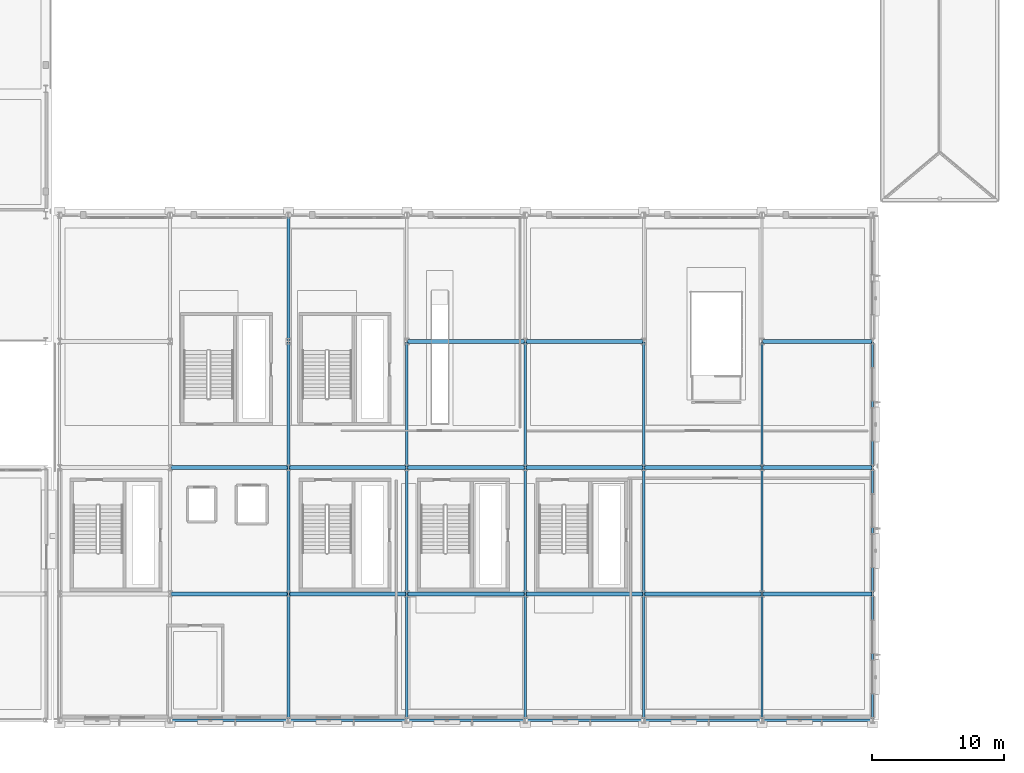
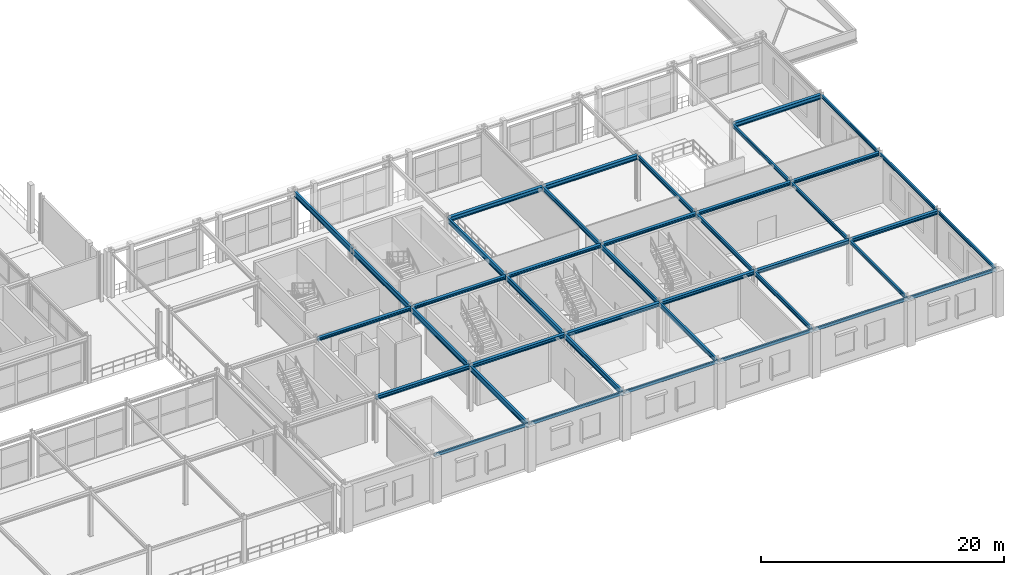
# One storey, part 53 of 125: 40 beams.
"""IFC4 building model written with IfcOpenShell, lengths in metres."""

import ifcopenshell
import ifcopenshell.guid

model = None  # the IFC model being written
_history = None  # IfcOwnerHistory: only IFC2X3 demands one
_inside = {}  # id of a spatial element -> (the spatial element, [elements in it])
_under = {}  # id of a project, library or spatial element -> (it, [spatial elements below it])
_declared = {}  # id of a project -> (the project, [libraries it declares])
_typed = {}  # id of a type object -> (the type object, [elements of that type])
_made_of = {}  # id of a material, layer set ... -> (it, [elements and type objects made of it])


def new_model(schema):
    """Start an empty IFC model of exactly this schema.

    Asked for "IFC4X3", IfcOpenShell would pick the latest addendum, in which some entities
    have other attributes; the version numbers below select the first issue.
    IFC2X3 requires an IfcOwnerHistory on every rooted entity: one is made here for all.
    """
    global model, _history
    if schema == "IFC4X3":
        model = ifcopenshell.file(schema_version=(4, 3, 0, 0))
    else:
        model = ifcopenshell.file(schema=schema)
    _inside.clear()
    _under.clear()
    _declared.clear()
    _typed.clear()
    _made_of.clear()
    _history = None
    if model.schema == "IFC2X3":
        org = make("IfcOrganization", Name="unknown")
        user = make(
            "IfcPersonAndOrganization",
            ThePerson=make("IfcPerson", FamilyName="unknown"),
            TheOrganization=org,
        )
        app = make(
            "IfcApplication",
            ApplicationDeveloper=org,
            Version="unknown",
            ApplicationFullName="unknown",
            ApplicationIdentifier="unknown",
        )
        _history = make(
            "IfcOwnerHistory",
            OwningUser=user,
            OwningApplication=app,
            ChangeAction="ADDED",
            CreationDate=0,
        )
    return model


def make(cls, **values):
    """One entity of the class cls with the attributes given. An attribute that is None is left unset."""
    return model.create_entity(
        cls, **{name: value for name, value in values.items() if value is not None}
    )


def rooted(cls, **values):
    """An entity with a GlobalId (a new one), such as an element, a storey or a relation."""
    return make(cls, GlobalId=ifcopenshell.guid.new(), OwnerHistory=_history, **values)


def si_unit(unit_type, name, prefix=None):
    """IfcSIUnit, for example si_unit("LENGTHUNIT", "METRE", prefix="MILLI")."""
    return make("IfcSIUnit", UnitType=unit_type, Prefix=prefix, Name=name)


def assignment(units):
    """IfcUnitAssignment: the units of a project."""
    return None if units is None else make("IfcUnitAssignment", Units=units)


def point(xyz):
    """IfcCartesianPoint."""
    return None if xyz is None else make("IfcCartesianPoint", Coordinates=xyz)


def direction(xyz):
    """IfcDirection."""
    return None if xyz is None else make("IfcDirection", DirectionRatios=xyz)


def frame(location, z_axis=None, x_axis=None):
    """IfcAxis2Placement3D, a coordinate frame: its origin and axes. An axis left out is left unset."""
    return make(
        "IfcAxis2Placement3D",
        Location=point(location),
        Axis=direction(z_axis),
        RefDirection=direction(x_axis),
    )


def frame_2d(location, x_axis=None):
    """IfcAxis2Placement2D, a coordinate frame in the plane: its origin and x axis."""
    return make(
        "IfcAxis2Placement2D", Location=point(location), RefDirection=direction(x_axis)
    )


def origin():
    """The frame at (0, 0, 0) with its axes left unset."""
    return frame((0.0, 0.0, 0.0))


def origin_2d():
    """The frame at (0, 0) in the plane with its x axis left unset."""
    return frame_2d((0.0, 0.0))


def place(relative_to, where):
    """IfcLocalPlacement: puts the frame where relative to a parent placement (None: the world)."""
    return make(
        "IfcLocalPlacement", PlacementRelTo=relative_to, RelativePlacement=where
    )


def context(
    kind, dimensions, precision=None, world=None, true_north=None, identifier=None
):
    """IfcGeometricRepresentationContext, for example the 3D "Model" context."""
    return make(
        "IfcGeometricRepresentationContext",
        ContextIdentifier=identifier,
        ContextType=kind,
        CoordinateSpaceDimension=dimensions,
        Precision=precision,
        WorldCoordinateSystem=world,
        TrueNorth=true_north,
    )


def subcontext(parent, identifier, kind, view, scale=None):
    """IfcGeometricRepresentationSubContext, for example "Body" below "Model"."""
    return make(
        "IfcGeometricRepresentationSubContext",
        ContextIdentifier=identifier,
        ContextType=kind,
        ParentContext=parent,
        TargetScale=scale,
        TargetView=view,
    )


def project(units=None, contexts=None):
    """IfcProject with its units and contexts."""
    return rooted(
        "IfcProject",
        Name="project",
        RepresentationContexts=contexts,
        UnitsInContext=assignment(units),
    )


def spatial(cls, under=None, at=None, **own):
    """A site, building, storey or space (cls), placed at a placement, below another one or the project."""
    s = rooted(cls, ObjectPlacement=at, **own)
    if under is not None:
        _under.setdefault(under.id(), (under, []))[1].append(s)
    return s


def profile(cls, at=None, kind="AREA", **sizes):
    """A parametric profile (cls). Its sizes go by their IFC names, for example OverallWidth=200.0."""
    return make(cls, ProfileType=kind, Position=at, **sizes)


def hollow_rectangle(**sizes):
    """IfcRectangleHollowProfileDef."""
    return profile("IfcRectangleHollowProfileDef", **sizes)


def i_section(**sizes):
    """IfcIShapeProfileDef."""
    return profile("IfcIShapeProfileDef", **sizes)


def extrude(swept, where, along, depth):
    """IfcExtrudedAreaSolid: the profile swept, set in the frame where, extruded along a direction by depth."""
    return make(
        "IfcExtrudedAreaSolid",
        SweptArea=swept,
        Position=where,
        ExtrudedDirection=direction(along),
        Depth=depth,
    )


def shape(context_of_items, identifier, shape_type, items):
    """IfcShapeRepresentation: the items that make up one representation, for example the "Body"."""
    return make(
        "IfcShapeRepresentation",
        ContextOfItems=context_of_items,
        RepresentationIdentifier=identifier,
        RepresentationType=shape_type,
        Items=items,
    )


def material(Name=None, Category=None):
    """IfcMaterial."""
    return make("IfcMaterial", Name=Name, Category=Category)


def material_profile(
    of_material, cross_section, Name=None, Category=None, Priority=None
):
    """IfcMaterialProfile: a cross section and its material."""
    return make(
        "IfcMaterialProfile",
        Name=Name,
        Material=of_material,
        Profile=cross_section,
        Priority=Priority,
        Category=Category,
    )


def profile_set(profiles, Name=None, composite=None):
    """IfcMaterialProfileSet."""
    return make(
        "IfcMaterialProfileSet",
        Name=Name,
        MaterialProfiles=profiles,
        CompositeProfile=composite,
    )


def made_of(thing, what):
    """Note that an element or type object is made of a material, layer set ...; save() writes the relation."""
    if what is not None:
        _made_of.setdefault(what.id(), (what, []))[1].append(thing)
    return thing


def type_object(cls, material=None, **own):
    """A type object (cls), such as IfcWallType, which elements share."""
    return made_of(rooted(cls, **own), material)


def element(
    cls,
    number,
    at=None,
    inside=None,
    cuts=None,
    type_object=None,
    material=None,
    context=None,
    identifier="Body",
    shape_type=None,
    held_by="IfcProductDefinitionShape",
    body=None,
    shapes=None,
    **own,
):
    """One element of the class cls, such as IfcWall. Its Tag is "e" and its number.

    at: its placement. inside: the storey or other place that contains it. cuts: it is an
    opening in that element (IfcRelVoidsElement). A single representation is given by context,
    identifier, shape_type and body (its items); several are given by shapes. held_by: the class
    of the entity that holds the representations. save() writes the other relations.
    """
    e = rooted(cls, Tag="e%d" % number, ObjectPlacement=at, **own)
    if body is not None:
        shapes = [shape(context, identifier, shape_type, body)]
    if shapes is not None:
        e.Representation = make(held_by, Representations=shapes)
    if inside is not None:
        _inside.setdefault(inside.id(), (inside, []))[1].append(e)
    if cuts is not None:
        rooted(
            "IfcRelVoidsElement", RelatingBuildingElement=cuts, RelatedOpeningElement=e
        )
    if type_object is not None:
        _typed.setdefault(type_object.id(), (type_object, []))[1].append(e)
    return made_of(e, material)


def aggregate(whole, parts):
    """IfcRelAggregates: a whole, such as a stair, and the parts it consists of."""
    return rooted("IfcRelAggregates", RelatingObject=whole, RelatedObjects=parts)


def save(model, path):
    """Write the relations noted so far, then the file.

    IfcRelAggregates (storeys below a building ...), IfcRelContainedInSpatialStructure (elements
    in a storey), IfcRelDefinesByType, IfcRelAssociatesMaterial and IfcRelDeclares: one each for
    every whole, place, type object, material and project.
    """
    for whole, parts in _under.values():
        aggregate(whole, parts)
    for where, things in _inside.values():
        rooted(
            "IfcRelContainedInSpatialStructure",
            RelatedElements=things,
            RelatingStructure=where,
        )
    for kind, things in _typed.values():
        rooted("IfcRelDefinesByType", RelatedObjects=things, RelatingType=kind)
    for what, things in _made_of.values():
        rooted("IfcRelAssociatesMaterial", RelatedObjects=things, RelatingMaterial=what)
    for by, libraries in _declared.values():
        rooted("IfcRelDeclares", RelatingContext=by, RelatedDefinitions=libraries)
    model.write(path)


model = new_model("IFC4")

# Units and contexts
model_context = context("Model", 3, precision=1e-05, world=origin(), true_north=direction((0.0, 1.0)))
body_context = subcontext(model_context, "Body", "Model", "MODEL_VIEW")
ifc_project = project(units=[si_unit("LENGTHUNIT", "METRE"), si_unit("AREAUNIT", "SQUARE_METRE"), si_unit("VOLUMEUNIT", "CUBIC_METRE"), si_unit("PLANEANGLEUNIT", "RADIAN"), si_unit("MASSUNIT", "GRAM", prefix="KILO")], contexts=[model_context])

# Site, building, storey
site_placement = place(None, origin())
site = spatial("IfcSite", under=ifc_project, at=site_placement, CompositionType="ELEMENT")
building_placement = place(site_placement, origin())
building = spatial("IfcBuilding", under=site, at=building_placement, Name="Myrtia Square Station", CompositionType="ELEMENT")
storey_placement = place(building_placement, frame((0.0, 0.0, 6.0)))
storey = spatial("IfcBuildingStorey", under=building, at=storey_placement, Name="L01", CompositionType="ELEMENT", Elevation=6.0)

# Beams
ifc_material = material(Name="Steel S355", Category="steel")
ifc_material_profile_1 = material_profile(ifc_material, i_section(OverallWidth=0.300048828125, OverallDepth=0.43994140625, WebThickness=0.011474609375, FlangeThickness=0.02099609375, FilletRadius=0.027099609375, at=origin_2d()), Name="HEA 450")
ifc_profile_set_1 = profile_set([ifc_material_profile_1], Name="Steel S355")
beam_type_1 = type_object("IfcBeamType", Name="BM-HEA450", PredefinedType="BEAM", material=ifc_profile_set_1)
for number, where, z_axis, x_axis, name in (
    (1, (144.050048828125, 28.800048828125, 4.330078125), (1.0, 0.0, 0.0), (0.0, 1.0, 0.0), "Structural girder BMX-L01-0599"),
    (2, (153.050048828125, 28.800048828125, 4.330078125), (1.0, 0.0, 0.0), (0.0, 1.0, 0.0), "Structural girder BMX-L01-0600"),
):
    element("IfcBeam", number, at=place(storey_placement, frame(where, z_axis=z_axis, x_axis=x_axis)), inside=storey, type_object=beam_type_1, Name=name, PredefinedType="BEAM", context=body_context, shape_type="SweptSolid", body=[
        extrude(i_section(OverallWidth=0.300048828125, OverallDepth=0.43994140625, WebThickness=0.011474609375, FlangeThickness=0.02099609375, FilletRadius=0.027099609375, at=origin_2d()), origin(), (0.0, 0.0, 1.0), 8.89990234375),
    ])
beam_1_placement = place(storey_placement, frame((171.050048828125, 28.800048828125, 4.31494140625), z_axis=(1.0, 0.0, 0.0), x_axis=(0.0, 1.0, 0.0)))
element("IfcBeam", 3, at=beam_1_placement, inside=storey, type_object=beam_type_1, Name="Structural girder BMX-L01-0601", PredefinedType="BEAM", context=body_context, shape_type="SweptSolid", body=[
    extrude(i_section(OverallWidth=0.300048828125, OverallDepth=0.43994140625, WebThickness=0.011474609375, FlangeThickness=0.02099609375, FilletRadius=0.027099609375, at=origin_2d()), origin(), (0.0, 0.0, 1.0), 8.300048828125),
])
ifc_material_profile_2 = material_profile(ifc_material, i_section(OverallWidth=0.300048828125, OverallDepth=0.300048828125, WebThickness=0.010986328125, FlangeThickness=0.01904296875, FilletRadius=0.027099609375, at=origin_2d()), Name="HEB 300")
ifc_profile_set_2 = profile_set([ifc_material_profile_2], Name="Steel S355")
beam_type_2 = type_object("IfcBeamType", Name="BM-HEB300", PredefinedType="BEAM", material=ifc_profile_set_2)
for number, where, z_axis, x_axis, name in (
    (4, (126.050048828125, 19.199951171875, 4.39990234375), (1.0, 0.0, 0.0), (0.0, 1.0, 0.0), "Structural girder BMX-L01-0592"),
    (5, (135.050048828125, 19.199951171875, 4.39990234375), (1.0, 0.0, 0.0), (0.0, 1.0, 0.0), "Structural girder BMX-L01-0593"),
    (6, (144.050048828125, 19.199951171875, 4.39990234375), (1.0, 0.0, 0.0), (0.0, 1.0, 0.0), "Structural girder BMX-L01-0594"),
    (7, (153.050048828125, 19.199951171875, 4.39990234375), (1.0, 0.0, 0.0), (0.0, 1.0, 0.0), "Structural girder BMX-L01-0595"),
    (8, (162.050048828125, 19.199951171875, 4.385009765625), (1.0, 0.0, 0.0), (0.0, 1.0, 0.0), "Structural girder BMX-L01-0596"),
):
    element("IfcBeam", number, at=place(storey_placement, frame(where, z_axis=z_axis, x_axis=x_axis)), inside=storey, type_object=beam_type_2, Name=name, PredefinedType="BEAM", context=body_context, shape_type="SweptSolid", body=[
        extrude(i_section(OverallWidth=0.300048828125, OverallDepth=0.300048828125, WebThickness=0.010986328125, FlangeThickness=0.01904296875, FilletRadius=0.027099609375, at=origin_2d()), origin(), (0.0, 0.0, 1.0), 8.89990234375),
    ])
beam_2_placement = place(storey_placement, frame((171.050048828125, 19.199951171875, 4.385009765625), z_axis=(1.0, 0.0, 0.0), x_axis=(0.0, 1.0, 0.0)))
element("IfcBeam", 9, at=beam_2_placement, inside=storey, type_object=beam_type_2, Name="Structural girder BMX-L01-0597", PredefinedType="BEAM", context=body_context, shape_type="SweptSolid", body=[
    extrude(i_section(OverallWidth=0.300048828125, OverallDepth=0.300048828125, WebThickness=0.010986328125, FlangeThickness=0.01904296875, FilletRadius=0.027099609375, at=origin_2d()), origin(), (0.0, 0.0, 1.0), 8.300048828125),
])
ifc_material_profile_3 = material_profile(ifc_material, i_section(OverallWidth=0.300048828125, OverallDepth=0.360107421875, WebThickness=0.012451171875, FlangeThickness=0.0224609375, FilletRadius=0.027099609375, at=origin_2d()), Name="HEB 360")
ifc_profile_set_3 = profile_set([ifc_material_profile_3], Name="Steel S355")
beam_type_3 = type_object("IfcBeamType", Name="BM-HEB360", PredefinedType="BEAM", material=ifc_profile_set_3)
for number, where, z_axis, x_axis, name in (
    (10, (126.050048828125, 9.60009765625, 4.3701171875), (1.0, 0.0, 0.0), (0.0, 1.0, 0.0), "Structural girder BMX-L01-0580"),
    (11, (135.050048828125, 9.60009765625, 4.3701171875), (1.0, 0.0, 0.0), (0.0, 1.0, 0.0), "Structural girder BMX-L01-0581"),
    (12, (144.050048828125, 9.60009765625, 4.3701171875), (1.0, 0.0, 0.0), (0.0, 1.0, 0.0), "Structural girder BMX-L01-0582"),
    (13, (153.050048828125, 9.60009765625, 4.3701171875), (1.0, 0.0, 0.0), (0.0, 1.0, 0.0), "Structural girder BMX-L01-0583"),
    (14, (162.050048828125, 9.60009765625, 4.35498046875), (1.0, 0.0, 0.0), (0.0, 1.0, 0.0), "Structural girder BMX-L01-0584"),
):
    element("IfcBeam", number, at=place(storey_placement, frame(where, z_axis=z_axis, x_axis=x_axis)), inside=storey, type_object=beam_type_3, Name=name, PredefinedType="BEAM", context=body_context, shape_type="SweptSolid", body=[
        extrude(i_section(OverallWidth=0.300048828125, OverallDepth=0.360107421875, WebThickness=0.012451171875, FlangeThickness=0.0224609375, FilletRadius=0.027099609375, at=origin_2d()), origin(), (0.0, 0.0, 1.0), 8.89990234375),
    ])
beam_3_placement = place(storey_placement, frame((171.050048828125, 9.60009765625, 4.35498046875), z_axis=(1.0, 0.0, 0.0), x_axis=(0.0, 1.0, 0.0)))
element("IfcBeam", 15, at=beam_3_placement, inside=storey, type_object=beam_type_3, Name="Structural girder BMX-L01-0585", PredefinedType="BEAM", context=body_context, shape_type="SweptSolid", body=[
    extrude(i_section(OverallWidth=0.300048828125, OverallDepth=0.360107421875, WebThickness=0.012451171875, FlangeThickness=0.0224609375, FilletRadius=0.027099609375, at=origin_2d()), origin(), (0.0, 0.0, 1.0), 8.300048828125),
])
ifc_material_profile_4 = material_profile(ifc_material, i_section(OverallWidth=0.159912109375, OverallDepth=0.330078125, WebThickness=0.007568359375, FlangeThickness=0.011474609375, FilletRadius=0.01806640625, at=origin_2d()), Name="IPE 330")
ifc_profile_set_4 = profile_set([ifc_material_profile_4], Name="Steel S355")
beam_type_4 = type_object("IfcBeamType", Name="BM-IPE330", PredefinedType="BEAM", material=ifc_profile_set_4)
for number, where, z_axis, x_axis, name in (
    (16, (179.39990234375, 0.050048828125, 4.3701171875), (0.0, 1.0, 0.0), (-1.0, 0.0, 0.0), "Structural girder BMY-L01-0640"),
    (17, (179.39990234375, 9.64990234375, 4.3701171875), (0.0, 1.0, 0.0), (-1.0, 0.0, 0.0), "Structural girder BMY-L01-0641"),
    (18, (179.39990234375, 19.25, 4.3701171875), (0.0, 1.0, 0.0), (-1.0, 0.0, 0.0), "Structural girder BMY-L01-0642"),
):
    element("IfcBeam", number, at=place(storey_placement, frame(where, z_axis=z_axis, x_axis=x_axis)), inside=storey, type_object=beam_type_4, Name=name, PredefinedType="BEAM", context=body_context, shape_type="SweptSolid", body=[
        extrude(i_section(OverallWidth=0.159912109375, OverallDepth=0.330078125, WebThickness=0.007568359375, FlangeThickness=0.011474609375, FilletRadius=0.01806640625, at=origin_2d()), origin(), (0.0, 0.0, 1.0), 9.5),
    ])
ifc_material_profile_5 = material_profile(ifc_material, i_section(OverallWidth=0.169921875, OverallDepth=0.360107421875, WebThickness=0.008056640625, FlangeThickness=0.0126953125, FilletRadius=0.01806640625, at=origin_2d()), Name="IPE 360")
ifc_profile_set_5 = profile_set([ifc_material_profile_5], Name="Steel S355")
beam_type_5 = type_object("IfcBeamType", Name="BM-IPE360", PredefinedType="BEAM", material=ifc_profile_set_5)
for number, where, z_axis, x_axis, name in (
    (19, (171.0, 0.050048828125, 4.35498046875), (0.0, 1.0, 0.0), (-1.0, 0.0, 0.0), "Structural girder BMY-L01-0636"),
    (20, (171.0, 9.64990234375, 4.35498046875), (0.0, 1.0, 0.0), (-1.0, 0.0, 0.0), "Structural girder BMY-L01-0637"),
    (21, (171.0, 19.25, 4.35498046875), (0.0, 1.0, 0.0), (-1.0, 0.0, 0.0), "Structural girder BMY-L01-0638"),
):
    element("IfcBeam", number, at=place(storey_placement, frame(where, z_axis=z_axis, x_axis=x_axis)), inside=storey, type_object=beam_type_5, Name=name, PredefinedType="BEAM", context=body_context, shape_type="SweptSolid", body=[
        extrude(i_section(OverallWidth=0.169921875, OverallDepth=0.360107421875, WebThickness=0.008056640625, FlangeThickness=0.0126953125, FilletRadius=0.01806640625, at=origin_2d()), origin(), (0.0, 0.0, 1.0), 9.5),
    ])
ifc_material_profile_6 = material_profile(ifc_material, i_section(OverallWidth=0.179931640625, OverallDepth=0.39990234375, WebThickness=0.008544921875, FlangeThickness=0.013427734375, FilletRadius=0.02099609375, at=origin_2d()), Name="IPE 400")
ifc_profile_set_6 = profile_set([ifc_material_profile_6], Name="Steel S355")
beam_type_6 = type_object("IfcBeamType", Name="BM-IPE400", PredefinedType="BEAM", material=ifc_profile_set_6)
for number, where, z_axis, x_axis, name in (
    (22, (162.0, 0.050048828125, 4.3349609375), (0.0, 1.0, 0.0), (-1.0, 0.0, 0.0), "Structural girder BMY-L01-0632"),
    (23, (162.0, 9.64990234375, 4.3349609375), (0.0, 1.0, 0.0), (-1.0, 0.0, 0.0), "Structural girder BMY-L01-0633"),
    (24, (162.0, 19.25, 4.3349609375), (0.0, 1.0, 0.0), (-1.0, 0.0, 0.0), "Structural girder BMY-L01-0634"),
):
    element("IfcBeam", number, at=place(storey_placement, frame(where, z_axis=z_axis, x_axis=x_axis)), inside=storey, type_object=beam_type_6, Name=name, PredefinedType="BEAM", context=body_context, shape_type="SweptSolid", body=[
        extrude(i_section(OverallWidth=0.179931640625, OverallDepth=0.39990234375, WebThickness=0.008544921875, FlangeThickness=0.013427734375, FilletRadius=0.02099609375, at=origin_2d()), origin(), (0.0, 0.0, 1.0), 9.5),
    ])
ifc_material_profile_7 = material_profile(ifc_material, i_section(OverallWidth=0.18994140625, OverallDepth=0.449951171875, WebThickness=0.009521484375, FlangeThickness=0.0146484375, FilletRadius=0.02099609375, at=origin_2d()), Name="IPE 450")
ifc_profile_set_7 = profile_set([ifc_material_profile_7], Name="Steel S355")
beam_type_7 = type_object("IfcBeamType", Name="BM-IPE450", PredefinedType="BEAM", material=ifc_profile_set_7)
for number, where, z_axis, x_axis, name in (
    (25, (153.0, 0.050048828125, 4.324951171875), (0.0, 1.0, 0.0), (-1.0, 0.0, 0.0), "Structural girder BMY-L01-0628"),
    (26, (153.0, 9.64990234375, 4.324951171875), (0.0, 1.0, 0.0), (-1.0, 0.0, 0.0), "Structural girder BMY-L01-0629"),
    (27, (153.0, 19.25, 4.324951171875), (0.0, 1.0, 0.0), (-1.0, 0.0, 0.0), "Structural girder BMY-L01-0630"),
):
    element("IfcBeam", number, at=place(storey_placement, frame(where, z_axis=z_axis, x_axis=x_axis)), inside=storey, type_object=beam_type_7, Name=name, PredefinedType="BEAM", context=body_context, shape_type="SweptSolid", body=[
        extrude(i_section(OverallWidth=0.18994140625, OverallDepth=0.449951171875, WebThickness=0.009521484375, FlangeThickness=0.0146484375, FilletRadius=0.02099609375, at=origin_2d()), origin(), (0.0, 0.0, 1.0), 9.5),
    ])
ifc_material_profile_8 = material_profile(ifc_material, i_section(OverallWidth=0.199951171875, OverallDepth=0.5, WebThickness=0.01025390625, FlangeThickness=0.01611328125, FilletRadius=0.02099609375, at=origin_2d()), Name="IPE 500")
ifc_profile_set_8 = profile_set([ifc_material_profile_8], Name="Steel S355")
beam_type_8 = type_object("IfcBeamType", Name="BM-IPE500", PredefinedType="BEAM", material=ifc_profile_set_8)
for number, where, z_axis, x_axis, name in (
    (28, (144.0, 0.050048828125, 4.300048828125), (0.0, 1.0, 0.0), (-1.0, 0.0, 0.0), "Structural girder BMY-L01-0624"),
    (29, (144.0, 9.64990234375, 4.300048828125), (0.0, 1.0, 0.0), (-1.0, 0.0, 0.0), "Structural girder BMY-L01-0625"),
    (30, (144.0, 19.25, 4.300048828125), (0.0, 1.0, 0.0), (-1.0, 0.0, 0.0), "Structural girder BMY-L01-0626"),
):
    element("IfcBeam", number, at=place(storey_placement, frame(where, z_axis=z_axis, x_axis=x_axis)), inside=storey, type_object=beam_type_8, Name=name, PredefinedType="BEAM", context=body_context, shape_type="SweptSolid", body=[
        extrude(i_section(OverallWidth=0.199951171875, OverallDepth=0.5, WebThickness=0.01025390625, FlangeThickness=0.01611328125, FilletRadius=0.02099609375, at=origin_2d()), origin(), (0.0, 0.0, 1.0), 9.5),
    ])
ifc_material_profile_9 = material_profile(ifc_material, i_section(OverallWidth=0.2099609375, OverallDepth=0.550048828125, WebThickness=0.010986328125, FlangeThickness=0.01708984375, FilletRadius=0.02392578125, at=origin_2d()), Name="IPE 550")
ifc_profile_set_9 = profile_set([ifc_material_profile_9], Name="Steel S355")
beam_type_9 = type_object("IfcBeamType", Name="BM-IPE550", PredefinedType="BEAM", material=ifc_profile_set_9)
for number, where, z_axis, x_axis, name in (
    (31, (135.0, 0.050048828125, 4.27490234375), (0.0, 1.0, 0.0), (-1.0, 0.0, 0.0), "Structural girder BMY-L01-0620"),
    (32, (135.0, 9.64990234375, 4.27490234375), (0.0, 1.0, 0.0), (-1.0, 0.0, 0.0), "Structural girder BMY-L01-0621"),
    (33, (135.0, 19.25, 4.27490234375), (0.0, 1.0, 0.0), (-1.0, 0.0, 0.0), "Structural girder BMY-L01-0622"),
    (34, (135.0, 28.85009765625, 4.27490234375), (0.0, 1.0, 0.0), (-1.0, 0.0, 0.0), "Structural girder BMY-L01-0623"),
):
    element("IfcBeam", number, at=place(storey_placement, frame(where, z_axis=z_axis, x_axis=x_axis)), inside=storey, type_object=beam_type_9, Name=name, PredefinedType="BEAM", context=body_context, shape_type="SweptSolid", body=[
        extrude(i_section(OverallWidth=0.2099609375, OverallDepth=0.550048828125, WebThickness=0.010986328125, FlangeThickness=0.01708984375, FilletRadius=0.02392578125, at=origin_2d()), origin(), (0.0, 0.0, 1.0), 9.5),
    ])
ifc_material_profile_10 = material_profile(ifc_material, hollow_rectangle(XDim=0.199951171875, YDim=0.300048828125, WallThickness=0.01611328125, InnerFilletRadius=0.01611328125, OuterFilletRadius=0.031982421875, at=origin_2d()), Name="RHS 300x200x16")
ifc_profile_set_10 = profile_set([ifc_material_profile_10], Name="Steel S355")
beam_type_10 = type_object("IfcBeamType", Name="SPN-RHS300", PredefinedType="SPANDREL", material=ifc_profile_set_10)
for number, where, z_axis, x_axis, name in (
    (35, (126.050048828125, 0.0, 4.39990234375), (1.0, 0.0, 0.0), (0.0, 1.0, 0.0), "Structural girder SPN-L01-0157"),
    (36, (135.050048828125, 0.0, 4.39990234375), (1.0, 0.0, 0.0), (0.0, 1.0, 0.0), "Structural girder SPN-L01-0158"),
    (37, (144.050048828125, 0.0, 4.39990234375), (1.0, 0.0, 0.0), (0.0, 1.0, 0.0), "Structural girder SPN-L01-0159"),
    (38, (153.050048828125, 0.0, 4.39990234375), (1.0, 0.0, 0.0), (0.0, 1.0, 0.0), "Structural girder SPN-L01-0160"),
    (39, (162.050048828125, 0.0, 4.385009765625), (1.0, 0.0, 0.0), (0.0, 1.0, 0.0), "Structural girder SPN-L01-0161"),
):
    element("IfcBeam", number, at=place(storey_placement, frame(where, z_axis=z_axis, x_axis=x_axis)), inside=storey, type_object=beam_type_10, Name=name, PredefinedType="SPANDREL", context=body_context, shape_type="SweptSolid", body=[
        extrude(hollow_rectangle(XDim=0.199951171875, YDim=0.300048828125, WallThickness=0.01611328125, InnerFilletRadius=0.01611328125, OuterFilletRadius=0.031982421875, at=origin_2d()), origin(), (0.0, 0.0, 1.0), 8.89990234375),
    ])
beam_4_placement = place(storey_placement, frame((171.050048828125, 0.0, 4.385009765625), z_axis=(1.0, 0.0, 0.0), x_axis=(0.0, 1.0, 0.0)))
element("IfcBeam", 40, at=beam_4_placement, inside=storey, type_object=beam_type_10, Name="Structural girder SPN-L01-0162", PredefinedType="SPANDREL", context=body_context, shape_type="SweptSolid", body=[
    extrude(hollow_rectangle(XDim=0.199951171875, YDim=0.300048828125, WallThickness=0.01611328125, InnerFilletRadius=0.01611328125, OuterFilletRadius=0.031982421875, at=origin_2d()), origin(), (0.0, 0.0, 1.0), 8.300048828125),
])

save(model, "model.ifc")
